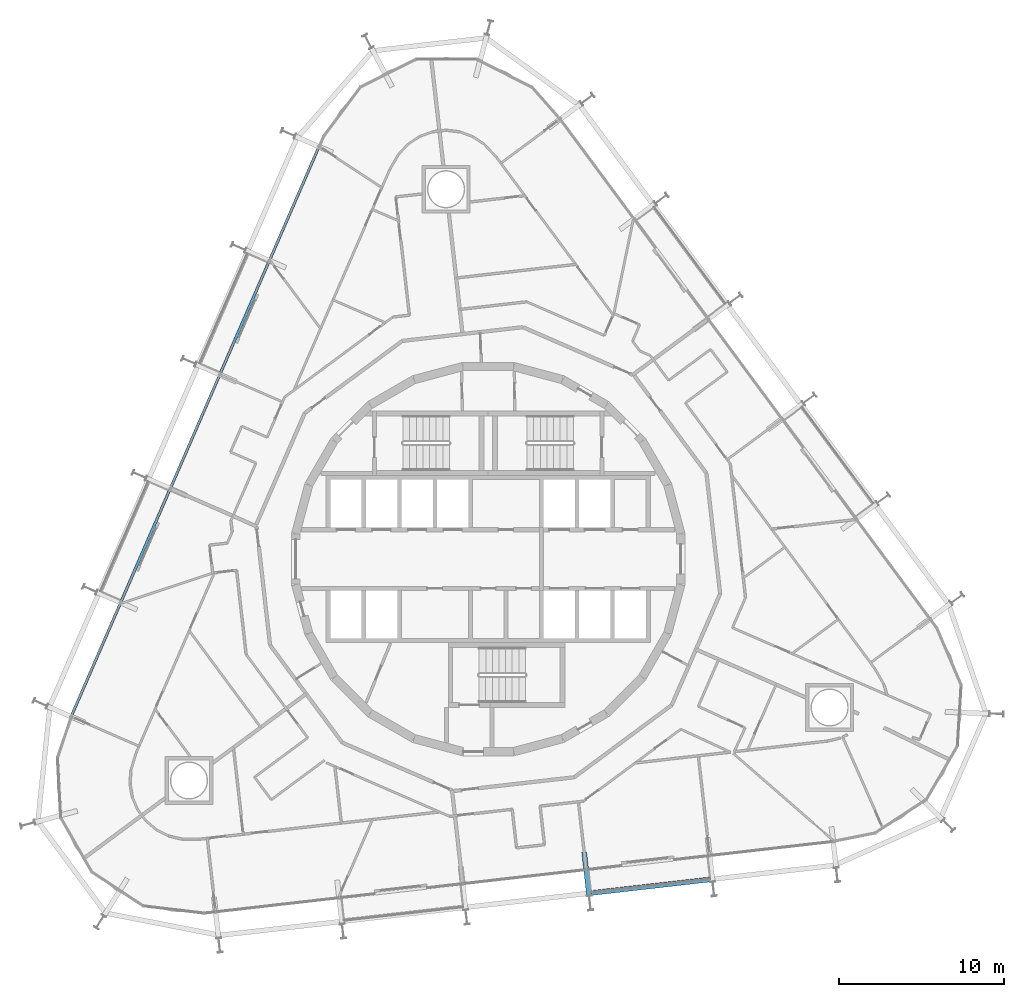
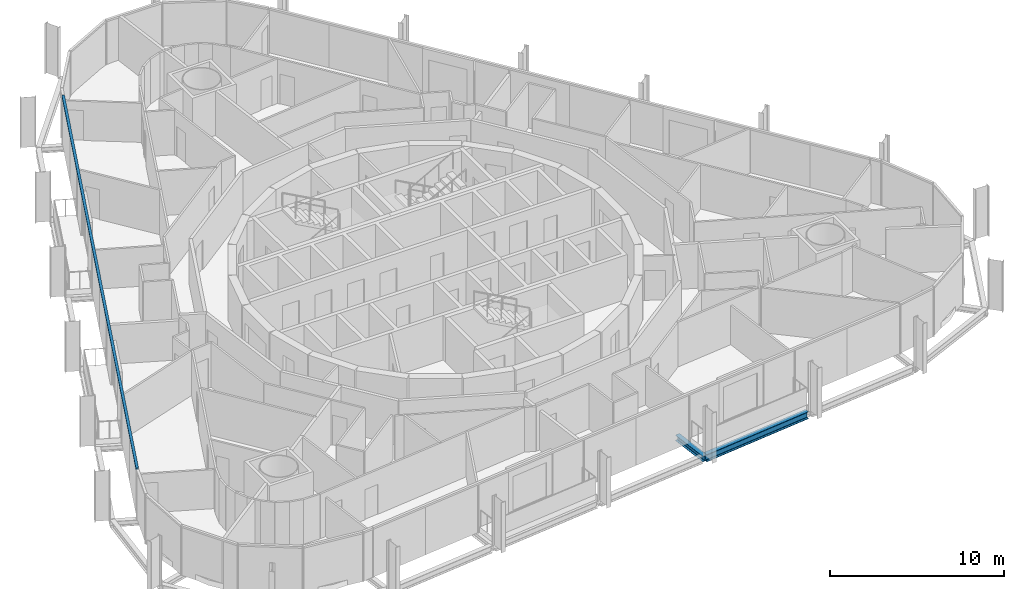
# One storey, part 6 of 23: 2 beams, 1 member, 1 element without a shape of its own.
"""IFC4 building model written with IfcOpenShell, lengths in metres."""

from ifc_helpers import new_model, si_unit, direction, frame, origin, origin_2d, place, context, subcontext, project, spatial, rectangle, i_section, extrude, material, layer, layer_set, material_profile, profile_set, type_object, element, aggregate, save


model = new_model("IFC4")

# Units and contexts
model_context = context("Model", 3, precision=1e-05, world=origin(), true_north=direction((0.0, 1.0)))
body_context = subcontext(model_context, "Body", "Model", "MODEL_VIEW")
ifc_project = project(units=[si_unit("LENGTHUNIT", "METRE"), si_unit("AREAUNIT", "SQUARE_METRE"), si_unit("VOLUMEUNIT", "CUBIC_METRE"), si_unit("PLANEANGLEUNIT", "RADIAN"), si_unit("MASSUNIT", "GRAM", prefix="KILO")], contexts=[model_context])

# Site, building, storey
site_placement = place(None, origin())
site = spatial("IfcSite", under=ifc_project, at=site_placement, CompositionType="ELEMENT")
building_placement = place(site_placement, origin())
building = spatial("IfcBuilding", under=site, at=building_placement, Name="Spindle Arch Residences", CompositionType="ELEMENT")
storey_placement = place(building_placement, frame((0.0, 0.0, 83.699951171875)))
storey = spatial("IfcBuildingStorey", under=building, at=storey_placement, Name="L19", CompositionType="ELEMENT", Elevation=83.699951171875)

# Curtain wall, member
ifc_material_1 = material(Name="Aluminium bronze unitised frame with tinted glass", Category="aluminium")
ifc_layer = layer(ifc_material_1, 0.159912109375)
ifc_layer_set = layer_set([ifc_layer], Name="CW-C typical residential unitised wall")
curtain_wall_type = type_object("IfcCurtainWallType", Name="CW-C typical residential unitised wall", PredefinedType="NOTDEFINED", material=ifc_layer_set)
curtain_wall_placement = place(storey_placement, origin())
curtain_wall = element("IfcCurtainWall", 1, at=curtain_wall_placement, inside=storey, type_object=curtain_wall_type, Name="CW-C L19 run 4", PredefinedType="NOTDEFINED")
ifc_material_2 = material(Name="Aluminium bronze anodised transom", Category="aluminium")
ifc_material_profile_1 = material_profile(ifc_material_2, rectangle(XDim=0.159912109375, YDim=0.1201171875, at=origin_2d()), Name="TR 120x160")
ifc_profile_set_1 = profile_set([ifc_material_profile_1], Name="Aluminium bronze anodised transom")
member_type = type_object("IfcMemberType", Name="Bronze transom 120x160", PredefinedType="USERDEFINED", material=ifc_profile_set_1)
member_placement = place(storey_placement, frame((-10.250244140625, 24.92138671875, 3.06005859375), z_axis=(-0.398750371211, -0.917059508134, 0.0), x_axis=(0.917059508134, -0.398750371211, 0.0)))
member = element("IfcMember", 2, at=member_placement, type_object=member_type, Name="CW-C transom 00", ObjectType="TRANSOM", PredefinedType="USERDEFINED", context=body_context, shape_type="SweptSolid", body=[
    extrude(rectangle(XDim=0.159912109375, YDim=0.1201171875, at=origin_2d()), origin(), (0.0, 0.0, 1.0), 37.5341796875),
])
aggregate(curtain_wall, [member])

# Beams
ifc_material_3 = material(Name="Steel S460ML, intumescent coating R 120", Category="steel")
ifc_material_profile_2 = material_profile(ifc_material_3, i_section(OverallWidth=0.300048828125, OverallDepth=0.5, WebThickness=0.014404296875, FlangeThickness=0.028076171875, FilletRadius=0.027099609375, at=origin_2d()), Name="HEB 500")
ifc_profile_set_2 = profile_set([ifc_material_profile_2], Name="Steel S460ML, intumescent coating R 120")
beam_type_1 = type_object("IfcBeamType", Name="Exoskeleton edge beam HEB 500", PredefinedType="BEAM", material=ifc_profile_set_2)
beam_1_placement = place(storey_placement, frame((6.2158203125, -20.19677734375, -0.6298828125), z_axis=(0.993570992395, 0.11321079044, 0.0), x_axis=(-0.11321079044, 0.993570992395, 0.0)))
element("IfcBeam", 3, at=beam_1_placement, inside=storey, type_object=beam_type_1, Name="Exoskeleton edge beam 1", PredefinedType="BEAM", context=body_context, shape_type="SweptSolid", body=[
    extrude(i_section(OverallWidth=0.300048828125, OverallDepth=0.5, WebThickness=0.014404296875, FlangeThickness=0.028076171875, FilletRadius=0.027099609375, at=origin_2d()), origin(), (0.0, 0.0, 1.0), 7.2587890625),
])
ifc_material_4 = material(Name="Steel S460ML, intumescent coating R 120", Category="steel")
ifc_material_profile_3 = material_profile(ifc_material_4, i_section(OverallWidth=0.300048828125, OverallDepth=0.389892578125, WebThickness=0.010986328125, FlangeThickness=0.01904296875, FilletRadius=0.027099609375, at=origin_2d()), Name="HEA 400")
ifc_profile_set_3 = profile_set([ifc_material_profile_3], Name="Steel S460ML, intumescent coating R 120")
beam_type_2 = type_object("IfcBeamType", Name="Floor outrigger HEA 400", PredefinedType="BEAM", material=ifc_profile_set_3)
beam_2_placement = place(storey_placement, frame((6.10205078125, -20.34765625, -0.574951171875), z_axis=(-0.113221808681, 0.993569736878, 0.0), x_axis=(-0.993569736878, -0.113221808681, 0.0)))
element("IfcBeam", 4, at=beam_2_placement, inside=storey, type_object=beam_type_2, Name="Floor outrigger 1", PredefinedType="BEAM", context=body_context, shape_type="SweptSolid", body=[
    extrude(i_section(OverallWidth=0.300048828125, OverallDepth=0.389892578125, WebThickness=0.010986328125, FlangeThickness=0.01904296875, FilletRadius=0.027099609375, at=origin_2d()), origin(), (0.0, 0.0, 1.0), 2.650146484375),
])

save(model, "model.ifc")
